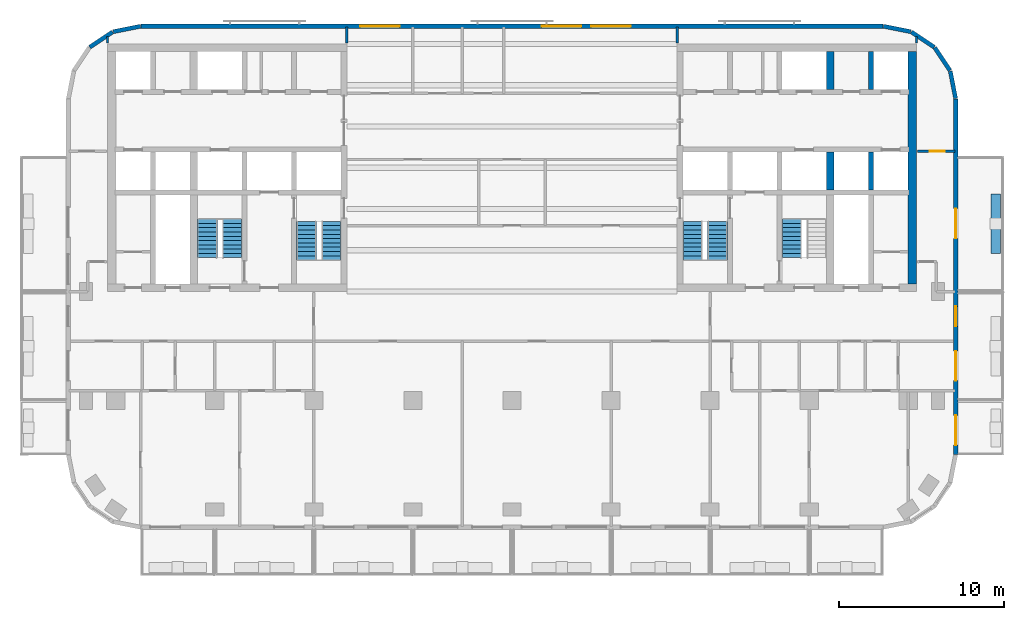
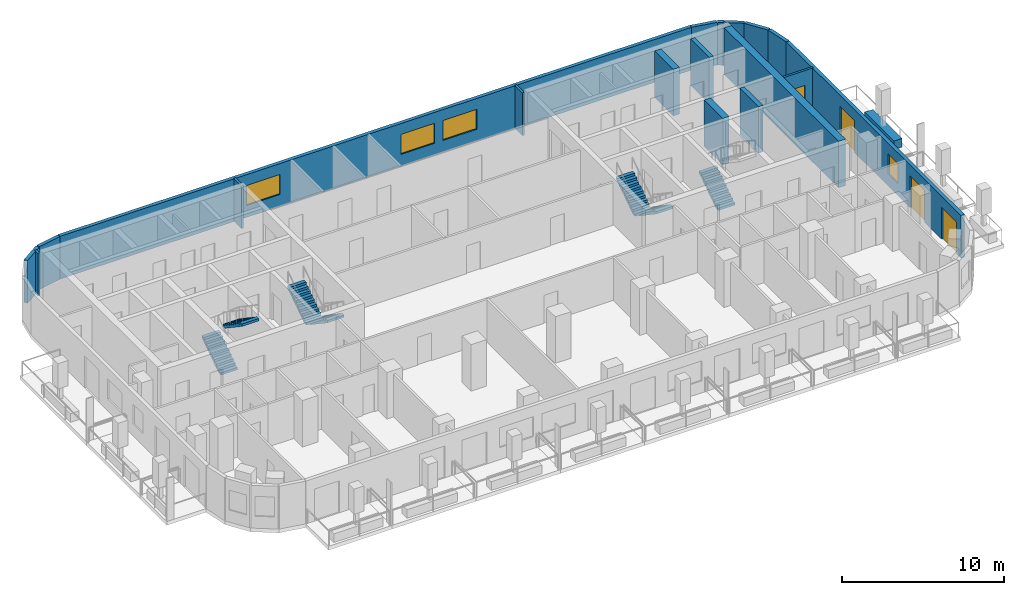
# One storey, part 7 of 11: 19 walls, 7 stair flights, 4 doors, 4 windows, 8 openings, 4 elements without a shape of their own.
"""IFC4 building model written with IfcOpenShell, lengths in metres."""

import ifcopenshell
import ifcopenshell.guid

model = None  # the IFC model being written
_history = None  # IfcOwnerHistory: only IFC2X3 demands one
_inside = {}  # id of a spatial element -> (the spatial element, [elements in it])
_under = {}  # id of a project, library or spatial element -> (it, [spatial elements below it])
_declared = {}  # id of a project -> (the project, [libraries it declares])
_typed = {}  # id of a type object -> (the type object, [elements of that type])
_made_of = {}  # id of a material, layer set ... -> (it, [elements and type objects made of it])


def new_model(schema):
    """Start an empty IFC model of exactly this schema.

    Asked for "IFC4X3", IfcOpenShell would pick the latest addendum, in which some entities
    have other attributes; the version numbers below select the first issue.
    IFC2X3 requires an IfcOwnerHistory on every rooted entity: one is made here for all.
    """
    global model, _history
    if schema == "IFC4X3":
        model = ifcopenshell.file(schema_version=(4, 3, 0, 0))
    else:
        model = ifcopenshell.file(schema=schema)
    _inside.clear()
    _under.clear()
    _declared.clear()
    _typed.clear()
    _made_of.clear()
    _history = None
    if model.schema == "IFC2X3":
        org = make("IfcOrganization", Name="unknown")
        user = make(
            "IfcPersonAndOrganization",
            ThePerson=make("IfcPerson", FamilyName="unknown"),
            TheOrganization=org,
        )
        app = make(
            "IfcApplication",
            ApplicationDeveloper=org,
            Version="unknown",
            ApplicationFullName="unknown",
            ApplicationIdentifier="unknown",
        )
        _history = make(
            "IfcOwnerHistory",
            OwningUser=user,
            OwningApplication=app,
            ChangeAction="ADDED",
            CreationDate=0,
        )
    return model


def make(cls, **values):
    """One entity of the class cls with the attributes given. An attribute that is None is left unset."""
    return model.create_entity(
        cls, **{name: value for name, value in values.items() if value is not None}
    )


def rooted(cls, **values):
    """An entity with a GlobalId (a new one), such as an element, a storey or a relation."""
    return make(cls, GlobalId=ifcopenshell.guid.new(), OwnerHistory=_history, **values)


def si_unit(unit_type, name, prefix=None):
    """IfcSIUnit, for example si_unit("LENGTHUNIT", "METRE", prefix="MILLI")."""
    return make("IfcSIUnit", UnitType=unit_type, Prefix=prefix, Name=name)


def assignment(units):
    """IfcUnitAssignment: the units of a project."""
    return None if units is None else make("IfcUnitAssignment", Units=units)


def point(xyz):
    """IfcCartesianPoint."""
    return None if xyz is None else make("IfcCartesianPoint", Coordinates=xyz)


def direction(xyz):
    """IfcDirection."""
    return None if xyz is None else make("IfcDirection", DirectionRatios=xyz)


def frame(location, z_axis=None, x_axis=None):
    """IfcAxis2Placement3D, a coordinate frame: its origin and axes. An axis left out is left unset."""
    return make(
        "IfcAxis2Placement3D",
        Location=point(location),
        Axis=direction(z_axis),
        RefDirection=direction(x_axis),
    )


def frame_2d(location, x_axis=None):
    """IfcAxis2Placement2D, a coordinate frame in the plane: its origin and x axis."""
    return make(
        "IfcAxis2Placement2D", Location=point(location), RefDirection=direction(x_axis)
    )


def origin():
    """The frame at (0, 0, 0) with its axes left unset."""
    return frame((0.0, 0.0, 0.0))


def place(relative_to, where):
    """IfcLocalPlacement: puts the frame where relative to a parent placement (None: the world)."""
    return make(
        "IfcLocalPlacement", PlacementRelTo=relative_to, RelativePlacement=where
    )


def context(
    kind, dimensions, precision=None, world=None, true_north=None, identifier=None
):
    """IfcGeometricRepresentationContext, for example the 3D "Model" context."""
    return make(
        "IfcGeometricRepresentationContext",
        ContextIdentifier=identifier,
        ContextType=kind,
        CoordinateSpaceDimension=dimensions,
        Precision=precision,
        WorldCoordinateSystem=world,
        TrueNorth=true_north,
    )


def subcontext(parent, identifier, kind, view, scale=None):
    """IfcGeometricRepresentationSubContext, for example "Body" below "Model"."""
    return make(
        "IfcGeometricRepresentationSubContext",
        ContextIdentifier=identifier,
        ContextType=kind,
        ParentContext=parent,
        TargetScale=scale,
        TargetView=view,
    )


def project(units=None, contexts=None):
    """IfcProject with its units and contexts."""
    return rooted(
        "IfcProject",
        Name="project",
        RepresentationContexts=contexts,
        UnitsInContext=assignment(units),
    )


def spatial(cls, under=None, at=None, **own):
    """A site, building, storey or space (cls), placed at a placement, below another one or the project."""
    s = rooted(cls, ObjectPlacement=at, **own)
    if under is not None:
        _under.setdefault(under.id(), (under, []))[1].append(s)
    return s


def polyline(points):
    """IfcPolyline through the points."""
    return make("IfcPolyline", Points=[point(p) for p in points])


def profile(cls, at=None, kind="AREA", **sizes):
    """A parametric profile (cls). Its sizes go by their IFC names, for example OverallWidth=200.0."""
    return make(cls, ProfileType=kind, Position=at, **sizes)


def rectangle(**sizes):
    """IfcRectangleProfileDef."""
    return profile("IfcRectangleProfileDef", **sizes)


def outline(outer, holes=None, kind="AREA"):
    """IfcArbitraryClosedProfileDef: a profile drawn as a closed curve; with holes, ...WithVoids."""
    if holes is None:
        return make("IfcArbitraryClosedProfileDef", ProfileType=kind, OuterCurve=outer)
    return make(
        "IfcArbitraryProfileDefWithVoids",
        ProfileType=kind,
        OuterCurve=outer,
        InnerCurves=holes,
    )


def extrude(swept, where, along, depth):
    """IfcExtrudedAreaSolid: the profile swept, set in the frame where, extruded along a direction by depth."""
    return make(
        "IfcExtrudedAreaSolid",
        SweptArea=swept,
        Position=where,
        ExtrudedDirection=direction(along),
        Depth=depth,
    )


def shape(context_of_items, identifier, shape_type, items):
    """IfcShapeRepresentation: the items that make up one representation, for example the "Body"."""
    return make(
        "IfcShapeRepresentation",
        ContextOfItems=context_of_items,
        RepresentationIdentifier=identifier,
        RepresentationType=shape_type,
        Items=items,
    )


def material(Name=None, Category=None):
    """IfcMaterial."""
    return make("IfcMaterial", Name=Name, Category=Category)


def layer(
    of_material, thickness, ventilated=None, Name=None, Category=None, Priority=None
):
    """IfcMaterialLayer: one layer of a wall or slab, of a material (None: an air gap)."""
    return make(
        "IfcMaterialLayer",
        Material=of_material,
        LayerThickness=thickness,
        IsVentilated=ventilated,
        Name=Name,
        Category=Category,
        Priority=Priority,
    )


def layer_set(layers, Name=None):
    """IfcMaterialLayerSet."""
    return make("IfcMaterialLayerSet", MaterialLayers=layers, LayerSetName=Name)


def made_of(thing, what):
    """Note that an element or type object is made of a material, layer set ...; save() writes the relation."""
    if what is not None:
        _made_of.setdefault(what.id(), (what, []))[1].append(thing)
    return thing


def type_object(cls, material=None, **own):
    """A type object (cls), such as IfcWallType, which elements share."""
    return made_of(rooted(cls, **own), material)


def element(
    cls,
    number,
    at=None,
    inside=None,
    cuts=None,
    type_object=None,
    material=None,
    context=None,
    identifier="Body",
    shape_type=None,
    held_by="IfcProductDefinitionShape",
    body=None,
    shapes=None,
    **own,
):
    """One element of the class cls, such as IfcWall. Its Tag is "e" and its number.

    at: its placement. inside: the storey or other place that contains it. cuts: it is an
    opening in that element (IfcRelVoidsElement). A single representation is given by context,
    identifier, shape_type and body (its items); several are given by shapes. held_by: the class
    of the entity that holds the representations. save() writes the other relations.
    """
    e = rooted(cls, Tag="e%d" % number, ObjectPlacement=at, **own)
    if body is not None:
        shapes = [shape(context, identifier, shape_type, body)]
    if shapes is not None:
        e.Representation = make(held_by, Representations=shapes)
    if inside is not None:
        _inside.setdefault(inside.id(), (inside, []))[1].append(e)
    if cuts is not None:
        rooted(
            "IfcRelVoidsElement", RelatingBuildingElement=cuts, RelatedOpeningElement=e
        )
    if type_object is not None:
        _typed.setdefault(type_object.id(), (type_object, []))[1].append(e)
    return made_of(e, material)


def fill(opening, filler):
    """IfcRelFillsElement: the door or window that sits in an opening."""
    return rooted(
        "IfcRelFillsElement",
        RelatingOpeningElement=opening,
        RelatedBuildingElement=filler,
    )


def aggregate(whole, parts):
    """IfcRelAggregates: a whole, such as a stair, and the parts it consists of."""
    return rooted("IfcRelAggregates", RelatingObject=whole, RelatedObjects=parts)


def save(model, path):
    """Write the relations noted so far, then the file.

    IfcRelAggregates (storeys below a building ...), IfcRelContainedInSpatialStructure (elements
    in a storey), IfcRelDefinesByType, IfcRelAssociatesMaterial and IfcRelDeclares: one each for
    every whole, place, type object, material and project.
    """
    for whole, parts in _under.values():
        aggregate(whole, parts)
    for where, things in _inside.values():
        rooted(
            "IfcRelContainedInSpatialStructure",
            RelatedElements=things,
            RelatingStructure=where,
        )
    for kind, things in _typed.values():
        rooted("IfcRelDefinesByType", RelatedObjects=things, RelatingType=kind)
    for what, things in _made_of.values():
        rooted("IfcRelAssociatesMaterial", RelatedObjects=things, RelatingMaterial=what)
    for by, libraries in _declared.values():
        rooted("IfcRelDeclares", RelatingContext=by, RelatedDefinitions=libraries)
    model.write(path)


model = new_model("IFC4")

# Units and contexts
model_context = context("Model", 3, precision=1e-05, world=origin(), true_north=direction((0.0, 1.0)))
body_context = subcontext(model_context, "Body", "Model", "MODEL_VIEW")
ifc_project = project(units=[si_unit("LENGTHUNIT", "METRE"), si_unit("AREAUNIT", "SQUARE_METRE"), si_unit("VOLUMEUNIT", "CUBIC_METRE"), si_unit("PLANEANGLEUNIT", "RADIAN"), si_unit("MASSUNIT", "GRAM", prefix="KILO")], contexts=[model_context])

# Site, building, storey
site_placement = place(None, origin())
site = spatial("IfcSite", under=ifc_project, at=site_placement, CompositionType="ELEMENT")
building_placement = place(site_placement, origin())
building = spatial("IfcBuilding", under=site, at=building_placement, Name="Torana Hotel and Residences", CompositionType="ELEMENT")
storey_placement = place(building_placement, frame((0.0, 0.0, 225.60009765625)))
storey = spatial("IfcBuildingStorey", under=building, at=storey_placement, Name="L59", CompositionType="ELEMENT", Elevation=225.60009765625)

# Walls
ifc_material_1 = material(Name="Concrete C70/85", Category="concrete")
ifc_layer_1 = layer(ifc_material_1, 0.300048828125)
ifc_layer_set_1 = layer_set([ifc_layer_1], Name="CORE WALL 300 C70/85")
wall_type_1 = type_object("IfcWallType", Name="CORE WALL 300 C70/85", PredefinedType="SHEAR", material=ifc_layer_set_1)
for number, where, z_axis, x_axis, name in (
    (1, (21.75, -2.75, 0.0), (0.0, 0.0, 1.0), (0.0, 1.0, 0.0), "Core wall E mm-N"),
    (2, (21.75, -8.85009765625, 0.0), (0.0, 0.0, 1.0), (0.0, 1.0, 0.0), "Core wall E mm-S"),
):
    element("IfcWall", number, at=place(storey_placement, frame(where, z_axis=z_axis, x_axis=x_axis)), inside=storey, type_object=wall_type_1, Name=name, PredefinedType="SHEAR", context=body_context, shape_type="SweptSolid", body=[
        extrude(rectangle(XDim=2.300048828125, YDim=0.300048828125, at=frame_2d((1.14990234375, 0.0))), origin(), (0.0, 0.0, 1.0), 3.5),
    ])
ifc_material_2 = material(Name="Concrete C70/85", Category="concrete")
ifc_layer_2 = layer(ifc_material_2, 0.449951171875)
ifc_layer_set_2 = layer_set([ifc_layer_2], Name="CORE WALL 450 C70/85")
wall_type_2 = type_object("IfcWallType", Name="CORE WALL 450 C70/85", PredefinedType="SHEAR", material=ifc_layer_set_2)
for number, where, z_axis, x_axis, name in (
    (3, (19.27490234375, -2.75, 0.0), (0.0, 0.0, 1.0), (0.0, 1.0, 0.0), "Core wall E hm-N"),
    (4, (19.27490234375, -8.85009765625, 0.0), (0.0, 0.0, 1.0), (0.0, 1.0, 0.0), "Core wall E hm-S"),
):
    element("IfcWall", number, at=place(storey_placement, frame(where, z_axis=z_axis, x_axis=x_axis)), inside=storey, type_object=wall_type_2, Name=name, PredefinedType="SHEAR", context=body_context, shape_type="SweptSolid", body=[
        extrude(rectangle(XDim=2.300048828125, YDim=0.449951171875, at=frame_2d((1.14990234375, 0.0))), origin(), (0.0, 0.0, 1.0), 3.5),
    ])
ifc_material_3 = material(Name="Concrete C70/85", Category="concrete")
ifc_layer_3 = layer(ifc_material_3, 0.5)
ifc_layer_set_3 = layer_set([ifc_layer_3], Name="CORE WALL 500 C70/85")
wall_type_3 = type_object("IfcWallType", Name="CORE WALL 500 C70/85", PredefinedType="SHEAR", material=ifc_layer_set_3)
wall_1_placement = place(storey_placement, frame((24.25, -14.550048828125, 0.0), z_axis=(0.0, 0.0, 1.0), x_axis=(0.0, 1.0, 0.0)))
element("IfcWall", 5, at=wall_1_placement, inside=storey, type_object=wall_type_3, Name="Core wall E outer", PredefinedType="SHEAR", context=body_context, shape_type="SweptSolid", body=[
    extrude(rectangle(XDim=14.10009765625, YDim=0.5, at=frame_2d((7.050048828125, 0.0))), origin(), (0.0, 0.0, 1.0), 3.5),
])
ifc_material_4 = material(Name="Black aluminium composite panel", Category="aluminium")
ifc_layer_4 = layer(ifc_material_4, 0.00390625, Name="Cladding", Category="cladding")
ifc_material_5 = material(Name="Ventilated air cavity")
ifc_layer_5 = layer(ifc_material_5, 0.0400390625, Name="Ventilated cavity", Category="cavity")
ifc_material_6 = material(Name="Mineral wool insulation")
ifc_layer_6 = layer(ifc_material_6, 0.090087890625, Name="Insulation", Category="insulation")
ifc_material_7 = material(Name="Steel S280GD", Category="steel")
ifc_layer_7 = layer(ifc_material_7, 0.092041015625, Name="Steel stud frame", Category="structure")
ifc_material_8 = material(Name="Fire rated plasterboard")
ifc_layer_8 = layer(ifc_material_8, 0.011962890625, Name="Inner board", Category="finish")
ifc_layer_9 = layer(ifc_material_8, 0.011962890625, Name="Second board", Category="finish")
ifc_layer_set_4 = layer_set([ifc_layer_4, ifc_layer_5, ifc_layer_6, ifc_layer_7, ifc_layer_8, ifc_layer_9], Name="EW1 EXTERNAL WALL BLACK METAL CLAD 250")
wall_type_4 = type_object("IfcWallType", Name="EW1 EXTERNAL WALL BLACK METAL CLAD 250", PredefinedType="SOLIDWALL", material=ifc_layer_set_4)
wall_2_placement = place(storey_placement, frame((26.87255859375, -3.30029296875, 0.0), z_axis=(0.0, 0.0, 1.0), x_axis=(-0.194999110559, 0.980803419081, 0.0)))
element("IfcWall", 6, at=wall_2_placement, inside=storey, type_object=wall_type_4, Name="External wall L59 e0.0", PredefinedType="SOLIDWALL", context=body_context, shape_type="SweptSolid", body=[
    extrude(rectangle(XDim=1.681396484375, YDim=0.25, at=frame_2d((0.8408203125, 0.0))), origin(), (0.0, 0.0, 1.0), 3.219970703125),
])
for number, where, z_axis, x_axis, name in (
    (7, (26.52587890625, -1.60595703125, 0.0), (0.0, 0.0, 1.0), (-0.55555029066, 0.831482937015, 0.0), "External wall L59 e0.1"),
    (8, (25.5712890625, -0.1943359375, 0.0), (0.0, 0.0, 1.0), (-0.831482937015, 0.55555029066, 0.0), "External wall L59 e0.2"),
):
    element("IfcWall", number, at=place(storey_placement, frame(where, z_axis=z_axis, x_axis=x_axis)), inside=storey, type_object=wall_type_4, Name=name, PredefinedType="SOLIDWALL", context=body_context, shape_type="SweptSolid", body=[
        extrude(rectangle(XDim=1.65625, YDim=0.25, at=frame_2d((0.828125, 0.0))), origin(), (0.0, 0.0, 1.0), 3.219970703125),
    ])
for number, where, z_axis, x_axis, name in (
    (9, (24.14892578125, 0.74462890625, 0.0), (0.0, 0.0, 1.0), (-0.980803419081, 0.194999110559, 0.0), "External wall L59 e0.3"),
    (10, (-22.499755859375, 1.072509765625, 0.0), (0.0, 0.0, 1.0), (-0.980803419081, -0.194999110559, 0.0), "External wall L59 e0.5"),
):
    element("IfcWall", number, at=place(storey_placement, frame(where, z_axis=z_axis, x_axis=x_axis)), inside=storey, type_object=wall_type_4, Name=name, PredefinedType="SOLIDWALL", context=body_context, shape_type="SweptSolid", body=[
        extrude(rectangle(XDim=1.681396484375, YDim=0.25, at=frame_2d((0.8408203125, 0.0))), origin(), (0.0, 0.0, 1.0), 3.219970703125),
    ])
wall_3_placement = place(storey_placement, frame((-24.194091796875, 0.725830078125, 0.0), z_axis=(0.0, 0.0, 1.0), x_axis=(-0.831482937015, -0.55555029066, 0.0)))
element("IfcWall", 11, at=wall_3_placement, inside=storey, type_object=wall_type_4, Name="External wall L59 e0.6", PredefinedType="SOLIDWALL", context=body_context, shape_type="SweptSolid", body=[
    extrude(rectangle(XDim=1.65625, YDim=0.25, at=frame_2d((0.828125, 0.0))), origin(), (0.0, 0.0, 1.0), 3.219970703125),
])

# Wall, openings, doors, window
wall_4_placement = place(storey_placement, frame((26.875, -24.87548828125, 0.0), z_axis=(0.0, 0.0, 1.0), x_axis=(0.0, 1.0, 0.0)))
wall_4 = element("IfcWall", 12, at=wall_4_placement, inside=storey, type_object=wall_type_4, Name="External wall L59 e0.19", PredefinedType="SOLIDWALL", context=body_context, shape_type="SweptSolid", body=[
    extrude(rectangle(XDim=21.55078125, YDim=0.25, at=frame_2d((10.775390625, 0.0))), origin(), (0.0, 0.0, 1.0), 3.219970703125),
])
opening_1_placement = place(wall_4_placement, frame((0.575439453125, 0.0, 0.0)))
opening_1 = element("IfcOpeningElement", 13, at=opening_1_placement, cuts=wall_4, Name="Opening L59-E09", PredefinedType="OPENING", context=body_context, shape_type="SweptSolid", body=[
    extrude(rectangle(XDim=1.800048828125, YDim=2.39990234375, at=frame_2d((0.89990234375, 1.199951171875))), frame((0.0, 0.135009765625, 0.0), z_axis=(0.0, -1.0, 0.0), x_axis=(1.0, 0.0, 0.0)), (0.0, 0.0, 1.0), 0.27001953125),
])
opening_2_placement = place(wall_4_placement, frame((4.475341796875, 0.0, 0.0)))
opening_2 = element("IfcOpeningElement", 14, at=opening_2_placement, cuts=wall_4, Name="Opening L59-E10", PredefinedType="OPENING", context=body_context, shape_type="SweptSolid", body=[
    extrude(rectangle(XDim=1.800048828125, YDim=2.39990234375, at=frame_2d((0.89990234375, 1.199951171875))), frame((0.0, 0.135009765625, 0.0), z_axis=(0.0, -1.0, 0.0), x_axis=(1.0, 0.0, 0.0)), (0.0, 0.0, 1.0), 0.27001953125),
])
opening_3_placement = place(wall_4_placement, frame((7.775390625, 0.0, 0.89990234375)))
opening_3 = element("IfcOpeningElement", 15, at=opening_3_placement, cuts=wall_4, Name="Opening W5", PredefinedType="OPENING", context=body_context, shape_type="SweptSolid", body=[
    extrude(rectangle(XDim=1.199951171875, YDim=1.5, at=frame_2d((0.60009765625, 0.75))), frame((0.0, 0.135009765625, 0.0), z_axis=(0.0, -1.0, 0.0), x_axis=(1.0, 0.0, 0.0)), (0.0, 0.0, 1.0), 0.27001953125),
])
opening_4_placement = place(wall_4_placement, frame((13.100341796875, 0.0, 0.0)))
opening_4 = element("IfcOpeningElement", 16, at=opening_4_placement, cuts=wall_4, Name="Opening L59-E11", PredefinedType="OPENING", context=body_context, shape_type="SweptSolid", body=[
    extrude(rectangle(XDim=1.800048828125, YDim=2.39990234375, at=frame_2d((0.89990234375, 1.199951171875))), frame((0.0, 0.135009765625, 0.0), z_axis=(0.0, -1.0, 0.0), x_axis=(1.0, 0.0, 0.0)), (0.0, 0.0, 1.0), 0.27001953125),
])
ifc_material_9 = material(Name="Dark glass in black aluminium frame", Category="aluminium")
door_type_1 = type_object("IfcDoorType", Name="DB1 BALCONY DOOR 1800x2400", OperationType="DOUBLE_DOOR_SINGLE_SWING", PredefinedType="DOOR", material=ifc_material_9)
door_1_placement = place(opening_1_placement, origin())
door_1 = element("IfcDoor", 17, at=door_1_placement, inside=storey, type_object=door_type_1, Name="Balcony door L59", OperationType="DOUBLE_DOOR_SINGLE_SWING", OverallHeight=2.39990234375, OverallWidth=1.800048828125, PredefinedType="DOOR", context=body_context, shape_type="SweptSolid", body=[
    extrude(rectangle(XDim=1.800048828125, YDim=2.39990234375, at=frame_2d((0.89990234375, 1.199951171875))), frame((0.0, 0.02490234375, 0.0), z_axis=(0.0, -1.0, 0.0), x_axis=(1.0, 0.0, 0.0)), (0.0, 0.0, 1.0), 0.050048828125),
])
fill(opening_1, door_1)
door_2_placement = place(opening_2_placement, origin())
door_2 = element("IfcDoor", 18, at=door_2_placement, inside=storey, type_object=door_type_1, Name="Balcony door L59", OperationType="DOUBLE_DOOR_SINGLE_SWING", OverallHeight=2.39990234375, OverallWidth=1.800048828125, PredefinedType="DOOR", context=body_context, shape_type="SweptSolid", body=[
    extrude(rectangle(XDim=1.800048828125, YDim=2.39990234375, at=frame_2d((0.89990234375, 1.199951171875))), frame((0.0, 0.02490234375, 0.0), z_axis=(0.0, -1.0, 0.0), x_axis=(1.0, 0.0, 0.0)), (0.0, 0.0, 1.0), 0.050048828125),
])
fill(opening_2, door_2)
door_3_placement = place(opening_4_placement, origin())
door_3 = element("IfcDoor", 19, at=door_3_placement, inside=storey, type_object=door_type_1, Name="Balcony door L59", OperationType="DOUBLE_DOOR_SINGLE_SWING", OverallHeight=2.39990234375, OverallWidth=1.800048828125, PredefinedType="DOOR", context=body_context, shape_type="SweptSolid", body=[
    extrude(rectangle(XDim=1.800048828125, YDim=2.39990234375, at=frame_2d((0.89990234375, 1.199951171875))), frame((0.0, 0.02490234375, 0.0), z_axis=(0.0, -1.0, 0.0), x_axis=(1.0, 0.0, 0.0)), (0.0, 0.0, 1.0), 0.050048828125),
])
fill(opening_4, door_3)
ifc_material_10 = material(Name="Dark glass in black aluminium frame", Category="aluminium")
window_type_1 = type_object("IfcWindowType", Name="W5 CORNER FACET WINDOW 1200x1500", PartitioningType="SINGLE_PANEL", PredefinedType="WINDOW", material=ifc_material_10)
window_1_placement = place(opening_3_placement, origin())
window_1 = element("IfcWindow", 20, at=window_1_placement, inside=storey, type_object=window_type_1, Name="Window L59", OverallHeight=1.5, OverallWidth=1.199951171875, PartitioningType="SINGLE_PANEL", PredefinedType="WINDOW", context=body_context, shape_type="SweptSolid", body=[
    extrude(rectangle(XDim=1.199951171875, YDim=1.5, at=frame_2d((0.60009765625, 0.75))), frame((0.0, 0.030029296875, 0.0), z_axis=(0.0, -1.0, 0.0), x_axis=(1.0, 0.0, 0.0)), (0.0, 0.0, 1.0), 0.06005859375),
])
fill(opening_3, window_1)

# Wall, openings, windows
ifc_material_11 = material(Name="Concrete C40/50 precast", Category="concrete")
ifc_layer_10 = layer(ifc_material_11, 0.10009765625, Name="Perforated block", Category="cladding")
ifc_material_12 = material(Name="Air cavity")
ifc_layer_11 = layer(ifc_material_12, 0.030029296875, Name="Cavity", Category="cavity")
ifc_material_13 = material(Name="Concrete C40/50", Category="concrete")
ifc_layer_12 = layer(ifc_material_13, 0.10009765625, Name="Wall", Category="structure")
ifc_material_14 = material(Name="Plaster and paint")
ifc_layer_13 = layer(ifc_material_14, 0.02001953125, Name="Inner finish", Category="finish")
ifc_layer_set_5 = layer_set([ifc_layer_10, ifc_layer_11, ifc_layer_12, ifc_layer_13], Name="EW2 PERFORATED BLOCK SCREEN WALL 250")
wall_type_5 = type_object("IfcWallType", Name="EW2 PERFORATED BLOCK SCREEN WALL 250", PredefinedType="SOLIDWALL", material=ifc_layer_set_5)
wall_5_placement = place(storey_placement, frame((22.475341796875, 1.074951171875, 0.0), z_axis=(0.0, 0.0, 1.0), x_axis=(-1.0, 0.0, 0.0)))
wall_5 = element("IfcWall", 21, at=wall_5_placement, inside=storey, type_object=wall_type_5, Name="External wall L59 e0.4", PredefinedType="SOLIDWALL", context=body_context, shape_type="SweptSolid", body=[
    extrude(rectangle(XDim=44.95068359375, YDim=0.25, at=frame_2d((22.475341796875, 0.0))), origin(), (0.0, 0.0, 1.0), 3.219970703125),
])
opening_5_placement = place(wall_5_placement, frame((15.275390625, 0.0, 0.89990234375)))
opening_5 = element("IfcOpeningElement", 22, at=opening_5_placement, cuts=wall_5, Name="Opening W3", PredefinedType="OPENING", context=body_context, shape_type="SweptSolid", body=[
    extrude(rectangle(XDim=2.39990234375, YDim=1.5, at=frame_2d((1.199951171875, 0.75))), frame((0.0, 0.135009765625, 0.0), z_axis=(0.0, -1.0, 0.0), x_axis=(1.0, 0.0, 0.0)), (0.0, 0.0, 1.0), 0.27001953125),
])
opening_6_placement = place(wall_5_placement, frame((18.275390625, 0.0, 0.89990234375)))
opening_6 = element("IfcOpeningElement", 23, at=opening_6_placement, cuts=wall_5, Name="Opening W3", PredefinedType="OPENING", context=body_context, shape_type="SweptSolid", body=[
    extrude(rectangle(XDim=2.39990234375, YDim=1.5, at=frame_2d((1.199951171875, 0.75))), frame((0.0, 0.135009765625, 0.0), z_axis=(0.0, -1.0, 0.0), x_axis=(1.0, 0.0, 0.0)), (0.0, 0.0, 1.0), 0.27001953125),
])
opening_7_placement = place(wall_5_placement, frame((29.275390625, 0.0, 0.89990234375)))
opening_7 = element("IfcOpeningElement", 24, at=opening_7_placement, cuts=wall_5, Name="Opening W3", PredefinedType="OPENING", context=body_context, shape_type="SweptSolid", body=[
    extrude(rectangle(XDim=2.39990234375, YDim=1.5, at=frame_2d((1.199951171875, 0.75))), frame((0.0, 0.135009765625, 0.0), z_axis=(0.0, -1.0, 0.0), x_axis=(1.0, 0.0, 0.0)), (0.0, 0.0, 1.0), 0.27001953125),
])
ifc_material_15 = material(Name="Dark glass in black aluminium frame", Category="aluminium")
window_type_2 = type_object("IfcWindowType", Name="W3 RESIDENCE WINDOW 2400x1500", PartitioningType="SINGLE_PANEL", PredefinedType="WINDOW", material=ifc_material_15)
window_2_placement = place(opening_5_placement, origin())
window_2 = element("IfcWindow", 25, at=window_2_placement, inside=storey, type_object=window_type_2, Name="Window L59", OverallHeight=1.5, OverallWidth=2.39990234375, PartitioningType="SINGLE_PANEL", PredefinedType="WINDOW", context=body_context, shape_type="SweptSolid", body=[
    extrude(rectangle(XDim=2.39990234375, YDim=1.5, at=frame_2d((1.199951171875, 0.75))), frame((0.0, 0.030029296875, 0.0), z_axis=(0.0, -1.0, 0.0), x_axis=(1.0, 0.0, 0.0)), (0.0, 0.0, 1.0), 0.06005859375),
])
fill(opening_5, window_2)
window_3_placement = place(opening_6_placement, origin())
window_3 = element("IfcWindow", 26, at=window_3_placement, inside=storey, type_object=window_type_2, Name="Window L59", OverallHeight=1.5, OverallWidth=2.39990234375, PartitioningType="SINGLE_PANEL", PredefinedType="WINDOW", context=body_context, shape_type="SweptSolid", body=[
    extrude(rectangle(XDim=2.39990234375, YDim=1.5, at=frame_2d((1.199951171875, 0.75))), frame((0.0, 0.030029296875, 0.0), z_axis=(0.0, -1.0, 0.0), x_axis=(1.0, 0.0, 0.0)), (0.0, 0.0, 1.0), 0.06005859375),
])
fill(opening_6, window_3)
window_4_placement = place(opening_7_placement, origin())
window_4 = element("IfcWindow", 27, at=window_4_placement, inside=storey, type_object=window_type_2, Name="Window L59", OverallHeight=1.5, OverallWidth=2.39990234375, PartitioningType="SINGLE_PANEL", PredefinedType="WINDOW", context=body_context, shape_type="SweptSolid", body=[
    extrude(rectangle(XDim=2.39990234375, YDim=1.5, at=frame_2d((1.199951171875, 0.75))), frame((0.0, 0.030029296875, 0.0), z_axis=(0.0, -1.0, 0.0), x_axis=(1.0, 0.0, 0.0)), (0.0, 0.0, 1.0), 0.06005859375),
])
fill(opening_7, window_4)

# Walls
ifc_material_16 = material(Name="Gypsum plasterboard")
ifc_layer_14 = layer(ifc_material_16, 0.012451171875, Name="Plasterboard", Category="finish")
ifc_layer_15 = layer(ifc_material_16, 0.012451171875, Name="Plasterboard", Category="finish")
ifc_layer_16 = layer(ifc_material_7, 0.10009765625, Name="Steel studs with mineral wool", Category="insulation")
ifc_layer_17 = layer(ifc_material_16, 0.012451171875, Name="Plasterboard", Category="finish")
ifc_layer_18 = layer(ifc_material_16, 0.012451171875, Name="Plasterboard", Category="finish")
ifc_layer_set_6 = layer_set([ifc_layer_14, ifc_layer_15, ifc_layer_16, ifc_layer_17, ifc_layer_18], Name="PARTITION 150 PLASTERBOARD")
wall_type_6 = type_object("IfcWallType", Name="PARTITION 150 PLASTERBOARD", PredefinedType="PARTITIONING", material=ifc_layer_set_6)
wall_6_placement = place(storey_placement, frame((24.5, 0.050048828125, 0.0), z_axis=(0.0, 0.0, 1.0), x_axis=(0.0, 1.0, 0.0)))
element("IfcWall", 28, at=wall_6_placement, inside=storey, type_object=wall_type_6, Name="Partition L59", PredefinedType="PARTITIONING", context=body_context, shape_type="SweptSolid", body=[
    extrude(rectangle(XDim=0.4052734375, YDim=0.14990234375, at=frame_2d((0.20263671875, 0.0))), origin(), (0.0, 0.0, 1.0), 3.219970703125),
])
for number, where, z_axis, x_axis, name in (
    (29, (10.0, 0.050048828125, 0.0), (0.0, 0.0, 1.0), (0.0, 1.0, 0.0), "Partition L59"),
    (30, (-10.0, 0.050048828125, 0.0), (0.0, 0.0, 1.0), (0.0, 1.0, 0.0), "Partition L59"),
):
    element("IfcWall", number, at=place(storey_placement, frame(where, z_axis=z_axis, x_axis=x_axis)), inside=storey, type_object=wall_type_6, Name=name, PredefinedType="PARTITIONING", context=body_context, shape_type="SweptSolid", body=[
        extrude(rectangle(XDim=0.969970703125, YDim=0.14990234375, at=frame_2d((0.48486328125, 0.0))), origin(), (0.0, 0.0, 1.0), 3.219970703125),
    ])
wall_7_placement = place(storey_placement, frame((-24.5, 0.050048828125, 0.0), z_axis=(0.0, 0.0, 1.0), x_axis=(0.0, 1.0, 0.0)))
element("IfcWall", 31, at=wall_7_placement, inside=storey, type_object=wall_type_6, Name="Partition L59", PredefinedType="PARTITIONING", context=body_context, shape_type="SweptSolid", body=[
    extrude(rectangle(XDim=0.4052734375, YDim=0.14990234375, at=frame_2d((0.20263671875, 0.0))), origin(), (0.0, 0.0, 1.0), 3.219970703125),
])
ifc_layer_19 = layer(ifc_material_11, 0.10009765625, Name="Planter shell", Category="structure")
ifc_material_17 = material(Name="Root resistant membrane")
ifc_layer_20 = layer(ifc_material_17, 0.00390625, Name="Waterproofing membrane", Category="membrane")
ifc_material_18 = material(Name="Drainage board with filter fleece")
ifc_layer_21 = layer(ifc_material_18, 0.02001953125, Name="Drainage board", Category="drainage")
ifc_material_19 = material(Name="Growing medium")
ifc_layer_22 = layer(ifc_material_19, 0.47607421875, Name="Planting substrate", Category="soil")
ifc_layer_set_7 = layer_set([ifc_layer_19, ifc_layer_20, ifc_layer_21, ifc_layer_22], Name="PL1 BALCONY PLANTER 600")
wall_type_7 = type_object("IfcWallType", Name="PL1 BALCONY PLANTER 600", PredefinedType="USERDEFINED", material=ifc_layer_set_7)
wall_8_placement = place(storey_placement, frame((29.300048828125, -9.10009765625, 0.0), z_axis=(0.0, 0.0, 1.0), x_axis=(0.0, -1.0, 0.0)))
element("IfcWall", 32, at=wall_8_placement, inside=storey, type_object=wall_type_7, Name="Planter 14", ObjectType="PLANTER", PredefinedType="USERDEFINED", context=body_context, shape_type="SweptSolid", body=[
    extrude(rectangle(XDim=3.599853515625, YDim=0.60009765625, at=frame_2d((1.7998046875, 0.0))), origin(), (0.0, 0.0, 1.0), 0.64990234375),
])

# Wall, opening, door
ifc_material_20 = material(Name="Ceramic tile on adhesive")
ifc_layer_23 = layer(ifc_material_20, 0.010009765625, Name="Wall tile", Category="finish")
ifc_material_21 = material(Name="Cement render")
ifc_layer_24 = layer(ifc_material_21, 0.010009765625, Name="Render", Category="finish")
ifc_material_22 = material(Name="Concrete blockwork", Category="masonry")
ifc_layer_25 = layer(ifc_material_22, 0.110107421875, Name="Blockwork", Category="structure")
ifc_layer_26 = layer(ifc_material_21, 0.010009765625, Name="Render", Category="finish")
ifc_layer_27 = layer(ifc_material_20, 0.010009765625, Name="Wall tile", Category="finish")
ifc_layer_set_8 = layer_set([ifc_layer_23, ifc_layer_24, ifc_layer_25, ifc_layer_26, ifc_layer_27], Name="WC PARTITION 150")
wall_type_8 = type_object("IfcWallType", Name="WC PARTITION 150", PredefinedType="PLUMBINGWALL", material=ifc_layer_set_8)
wall_9_placement = place(storey_placement, frame((24.550048828125, -6.5, 0.0), z_axis=(0.0, 0.0, 1.0), x_axis=(1.0, 0.0, 0.0)))
wall_9 = element("IfcWall", 33, at=wall_9_placement, inside=storey, type_object=wall_type_8, Name="Partition L59", PredefinedType="PLUMBINGWALL", context=body_context, shape_type="SweptSolid", body=[
    extrude(rectangle(XDim=2.27001953125, YDim=0.14990234375, at=frame_2d((1.135009765625, 0.0))), origin(), (0.0, 0.0, 1.0), 3.219970703125),
])
opening_8_placement = place(wall_9_placement, frame((0.75, 0.0, 0.0)))
opening_8 = element("IfcOpeningElement", 34, at=opening_8_placement, cuts=wall_9, Name="Opening L59-65", PredefinedType="OPENING", context=body_context, shape_type="SweptSolid", body=[
    extrude(rectangle(XDim=0.89990234375, YDim=2.10009765625, at=frame_2d((0.449951171875, 1.050048828125))), frame((0.0, 0.0849609375, 0.0), z_axis=(0.0, -1.0, 0.0), x_axis=(1.0, 0.0, 0.0)), (0.0, 0.0, 1.0), 0.169921875),
])
ifc_material_23 = material(Name="Timber door, oiled ash", Category="wood")
door_type_2 = type_object("IfcDoorType", Name="ROOM DOOR D7 900x2100", OperationType="SINGLE_SWING_LEFT", PredefinedType="DOOR", material=ifc_material_23)
door_4_placement = place(opening_8_placement, origin())
door_4 = element("IfcDoor", 35, at=door_4_placement, inside=storey, type_object=door_type_2, Name="Door L59", OperationType="SINGLE_SWING_LEFT", OverallHeight=2.10009765625, OverallWidth=0.89990234375, PredefinedType="DOOR", context=body_context, shape_type="SweptSolid", body=[
    extrude(rectangle(XDim=0.89990234375, YDim=2.10009765625, at=frame_2d((0.449951171875, 1.050048828125))), frame((0.0, 0.02490234375, 0.0), z_axis=(0.0, -1.0, 0.0), x_axis=(1.0, 0.0, 0.0)), (0.0, 0.0, 1.0), 0.050048828125),
])
fill(opening_8, door_4)

# Stair, stair flights
ifc_material_24 = material(Name="Concrete C40/50 precast", Category="concrete")
stair_type_1 = type_object("IfcStairType", Name="STAIR ST1 HALF TURN 1200", PredefinedType="HALF_TURN_STAIR", material=ifc_material_24)
stair_1_placement = place(storey_placement, origin())
stair_1 = element("IfcStair", 36, at=stair_1_placement, inside=storey, type_object=stair_type_1, Name="Stair ST1 L59", PredefinedType="HALF_TURN_STAIR")
ifc_material_25 = material(Name="Concrete C40/50 precast", Category="concrete")
stair_flight_type = type_object("IfcStairFlightType", Name="STAIR FLIGHT 1200 PRECAST", PredefinedType="STRAIGHT", material=ifc_material_25)
stair_flight_1_placement = place(storey_placement, frame((-10.949951171875, -10.75, 0.0), z_axis=(0.0, 0.0, 1.0), x_axis=(0.0, -1.0, 0.0)))
stair_flight_1 = element("IfcStairFlight", 37, at=stair_flight_1_placement, type_object=stair_flight_type, Name="ST1 flight 1", NumberOfRisers=10, NumberOfTreads=9, PredefinedType="STRAIGHT", RiserHeight=0.175, TreadLength=0.26, context=body_context, shape_type="SweptSolid", body=[
    extrude(outline(polyline([(0.0, 0.0), (0.0, 0.175048828125), (0.260009765625, 0.175048828125), (0.260009765625, 0.35009765625), (0.52001953125, 0.35009765625), (0.52001953125, 0.52490234375), (0.780029296875, 0.52490234375), (0.780029296875, 0.699951171875), (1.0400390625, 0.699951171875), (1.0400390625, 0.875), (1.300048828125, 0.875), (1.300048828125, 1.050048828125), (1.56005859375, 1.050048828125), (1.56005859375, 1.22509765625), (1.820068359375, 1.22509765625), (1.820068359375, 1.39990234375), (2.080078125, 1.39990234375), (2.080078125, 1.574951171875), (2.340087890625, 1.574951171875), (2.340087890625, 1.75), (2.340087890625, 1.394287109375), (0.2685546875, 0.0), (0.0, 0.0)])), frame((0.0, 0.60009765625, 0.0), z_axis=(0.0, -1.0, 0.0), x_axis=(1.0, 0.0, 0.0)), (0.0, 0.0, 1.0), 1.199951171875),
])
stair_flight_2_placement = place(storey_placement, frame((-12.449951171875, -13.090087890625, 1.75), z_axis=(0.0, 0.0, 1.0), x_axis=(0.0, 1.0, 0.0)))
stair_flight_2 = element("IfcStairFlight", 38, at=stair_flight_2_placement, type_object=stair_flight_type, Name="ST1 flight 2", NumberOfRisers=10, NumberOfTreads=9, PredefinedType="STRAIGHT", RiserHeight=0.175, TreadLength=0.26, context=body_context, shape_type="SweptSolid", body=[
    extrude(outline(polyline([(0.0, 0.0), (0.0, 0.175048828125), (0.260009765625, 0.175048828125), (0.260009765625, 0.35009765625), (0.52001953125, 0.35009765625), (0.52001953125, 0.52490234375), (0.780029296875, 0.52490234375), (0.780029296875, 0.699951171875), (1.0400390625, 0.699951171875), (1.0400390625, 0.875), (1.300048828125, 0.875), (1.300048828125, 1.050048828125), (1.56005859375, 1.050048828125), (1.56005859375, 1.22509765625), (1.820068359375, 1.22509765625), (1.820068359375, 1.39990234375), (2.080078125, 1.39990234375), (2.080078125, 1.574951171875), (2.340087890625, 1.574951171875), (2.340087890625, 1.75), (2.340087890625, 1.394287109375), (0.2685546875, 0.0), (0.0, 0.0)])), frame((0.0, 0.60009765625, 0.0), z_axis=(0.0, -1.0, 0.0), x_axis=(1.0, 0.0, 0.0)), (0.0, 0.0, 1.0), 1.199951171875),
])
aggregate(stair_1, [stair_flight_1, stair_flight_2])

ifc_material_26 = material(Name="Concrete C40/50 precast", Category="concrete")
stair_type_2 = type_object("IfcStairType", Name="STAIR ST2 HALF TURN 1200", PredefinedType="HALF_TURN_STAIR", material=ifc_material_26)
stair_2_placement = place(storey_placement, origin())
stair_2 = element("IfcStair", 39, at=stair_2_placement, inside=storey, type_object=stair_type_2, Name="Stair ST2 L59", PredefinedType="HALF_TURN_STAIR")
stair_flight_3_placement = place(storey_placement, frame((-18.449951171875, -12.949951171875, 0.0), z_axis=(0.0, 0.0, 1.0), x_axis=(0.0, 1.0, 0.0)))
stair_flight_3 = element("IfcStairFlight", 40, at=stair_flight_3_placement, type_object=stair_flight_type, Name="ST2 flight 1", NumberOfRisers=10, NumberOfTreads=9, PredefinedType="STRAIGHT", RiserHeight=0.175, TreadLength=0.26, context=body_context, shape_type="SweptSolid", body=[
    extrude(outline(polyline([(0.0, 0.0), (0.0, 0.175048828125), (0.260009765625, 0.175048828125), (0.260009765625, 0.35009765625), (0.52001953125, 0.35009765625), (0.52001953125, 0.52490234375), (0.780029296875, 0.52490234375), (0.780029296875, 0.699951171875), (1.0400390625, 0.699951171875), (1.0400390625, 0.875), (1.300048828125, 0.875), (1.300048828125, 1.050048828125), (1.56005859375, 1.050048828125), (1.56005859375, 1.22509765625), (1.820068359375, 1.22509765625), (1.820068359375, 1.39990234375), (2.080078125, 1.39990234375), (2.080078125, 1.574951171875), (2.340087890625, 1.574951171875), (2.340087890625, 1.75), (2.340087890625, 1.394287109375), (0.2685546875, 0.0), (0.0, 0.0)])), frame((0.0, 0.60009765625, 0.0), z_axis=(0.0, -1.0, 0.0), x_axis=(1.0, 0.0, 0.0)), (0.0, 0.0, 1.0), 1.199951171875),
])
stair_flight_4_placement = place(storey_placement, frame((-16.949951171875, -10.610107421875, 1.75), z_axis=(0.0, 0.0, 1.0), x_axis=(0.0, -1.0, 0.0)))
stair_flight_4 = element("IfcStairFlight", 41, at=stair_flight_4_placement, type_object=stair_flight_type, Name="ST2 flight 2", NumberOfRisers=10, NumberOfTreads=9, PredefinedType="STRAIGHT", RiserHeight=0.175, TreadLength=0.26, context=body_context, shape_type="SweptSolid", body=[
    extrude(outline(polyline([(0.0, 0.0), (0.0, 0.175048828125), (0.260009765625, 0.175048828125), (0.260009765625, 0.35009765625), (0.52001953125, 0.35009765625), (0.52001953125, 0.52490234375), (0.780029296875, 0.52490234375), (0.780029296875, 0.699951171875), (1.0400390625, 0.699951171875), (1.0400390625, 0.875), (1.300048828125, 0.875), (1.300048828125, 1.050048828125), (1.56005859375, 1.050048828125), (1.56005859375, 1.22509765625), (1.820068359375, 1.22509765625), (1.820068359375, 1.39990234375), (2.080078125, 1.39990234375), (2.080078125, 1.574951171875), (2.340087890625, 1.574951171875), (2.340087890625, 1.75), (2.340087890625, 1.394287109375), (0.2685546875, 0.0), (0.0, 0.0)])), frame((0.0, 0.60009765625, 0.0), z_axis=(0.0, -1.0, 0.0), x_axis=(1.0, 0.0, 0.0)), (0.0, 0.0, 1.0), 1.199951171875),
])
aggregate(stair_2, [stair_flight_3, stair_flight_4])

ifc_material_27 = material(Name="Concrete C40/50 precast", Category="concrete")
stair_type_3 = type_object("IfcStairType", Name="STAIR ST3 HALF TURN 1200", PredefinedType="HALF_TURN_STAIR", material=ifc_material_27)
stair_3_placement = place(storey_placement, origin())
stair_3 = element("IfcStair", 42, at=stair_3_placement, inside=storey, type_object=stair_type_3, Name="Stair ST3 L59", PredefinedType="HALF_TURN_STAIR")
stair_flight_5_placement = place(storey_placement, frame((12.449951171875, -10.75, 0.0), z_axis=(0.0, 0.0, 1.0), x_axis=(0.0, -1.0, 0.0)))
stair_flight_5 = element("IfcStairFlight", 43, at=stair_flight_5_placement, type_object=stair_flight_type, Name="ST3 flight 1", NumberOfRisers=10, NumberOfTreads=9, PredefinedType="STRAIGHT", RiserHeight=0.175, TreadLength=0.26, context=body_context, shape_type="SweptSolid", body=[
    extrude(outline(polyline([(0.0, 0.0), (0.0, 0.175048828125), (0.260009765625, 0.175048828125), (0.260009765625, 0.35009765625), (0.52001953125, 0.35009765625), (0.52001953125, 0.52490234375), (0.780029296875, 0.52490234375), (0.780029296875, 0.699951171875), (1.0400390625, 0.699951171875), (1.0400390625, 0.875), (1.300048828125, 0.875), (1.300048828125, 1.050048828125), (1.56005859375, 1.050048828125), (1.56005859375, 1.22509765625), (1.820068359375, 1.22509765625), (1.820068359375, 1.39990234375), (2.080078125, 1.39990234375), (2.080078125, 1.574951171875), (2.340087890625, 1.574951171875), (2.340087890625, 1.75), (2.340087890625, 1.394287109375), (0.2685546875, 0.0), (0.0, 0.0)])), frame((0.0, 0.60009765625, 0.0), z_axis=(0.0, -1.0, 0.0), x_axis=(1.0, 0.0, 0.0)), (0.0, 0.0, 1.0), 1.199951171875),
])
stair_flight_6_placement = place(storey_placement, frame((10.949951171875, -13.090087890625, 1.75), z_axis=(0.0, 0.0, 1.0), x_axis=(0.0, 1.0, 0.0)))
stair_flight_6 = element("IfcStairFlight", 44, at=stair_flight_6_placement, type_object=stair_flight_type, Name="ST3 flight 2", NumberOfRisers=10, NumberOfTreads=9, PredefinedType="STRAIGHT", RiserHeight=0.175, TreadLength=0.26, context=body_context, shape_type="SweptSolid", body=[
    extrude(outline(polyline([(0.0, 0.0), (0.0, 0.175048828125), (0.260009765625, 0.175048828125), (0.260009765625, 0.35009765625), (0.52001953125, 0.35009765625), (0.52001953125, 0.52490234375), (0.780029296875, 0.52490234375), (0.780029296875, 0.699951171875), (1.0400390625, 0.699951171875), (1.0400390625, 0.875), (1.300048828125, 0.875), (1.300048828125, 1.050048828125), (1.56005859375, 1.050048828125), (1.56005859375, 1.22509765625), (1.820068359375, 1.22509765625), (1.820068359375, 1.39990234375), (2.080078125, 1.39990234375), (2.080078125, 1.574951171875), (2.340087890625, 1.574951171875), (2.340087890625, 1.75), (2.340087890625, 1.394287109375), (0.2685546875, 0.0), (0.0, 0.0)])), frame((0.0, 0.60009765625, 0.0), z_axis=(0.0, -1.0, 0.0), x_axis=(1.0, 0.0, 0.0)), (0.0, 0.0, 1.0), 1.199951171875),
])
aggregate(stair_3, [stair_flight_5, stair_flight_6])

# Stair, stair flight
ifc_material_28 = material(Name="Concrete C40/50 precast", Category="concrete")
stair_type_4 = type_object("IfcStairType", Name="STAIR ST4 HALF TURN 1200", PredefinedType="HALF_TURN_STAIR", material=ifc_material_28)
stair_4_placement = place(storey_placement, origin())
stair_4 = element("IfcStair", 45, at=stair_4_placement, inside=storey, type_object=stair_type_4, Name="Stair ST4 L59", PredefinedType="HALF_TURN_STAIR")
stair_flight_7_placement = place(storey_placement, frame((16.949951171875, -12.949951171875, 0.0), z_axis=(0.0, 0.0, 1.0), x_axis=(0.0, 1.0, 0.0)))
stair_flight_7 = element("IfcStairFlight", 46, at=stair_flight_7_placement, type_object=stair_flight_type, Name="ST4 flight 1", NumberOfRisers=10, NumberOfTreads=9, PredefinedType="STRAIGHT", RiserHeight=0.175, TreadLength=0.26, context=body_context, shape_type="SweptSolid", body=[
    extrude(outline(polyline([(0.0, 0.0), (0.0, 0.175048828125), (0.260009765625, 0.175048828125), (0.260009765625, 0.35009765625), (0.52001953125, 0.35009765625), (0.52001953125, 0.52490234375), (0.780029296875, 0.52490234375), (0.780029296875, 0.699951171875), (1.0400390625, 0.699951171875), (1.0400390625, 0.875), (1.300048828125, 0.875), (1.300048828125, 1.050048828125), (1.56005859375, 1.050048828125), (1.56005859375, 1.22509765625), (1.820068359375, 1.22509765625), (1.820068359375, 1.39990234375), (2.080078125, 1.39990234375), (2.080078125, 1.574951171875), (2.340087890625, 1.574951171875), (2.340087890625, 1.75), (2.340087890625, 1.394287109375), (0.2685546875, 0.0), (0.0, 0.0)])), frame((0.0, 0.60009765625, 0.0), z_axis=(0.0, -1.0, 0.0), x_axis=(1.0, 0.0, 0.0)), (0.0, 0.0, 1.0), 1.199951171875),
])
aggregate(stair_4, [stair_flight_7])

save(model, "model.ifc")
